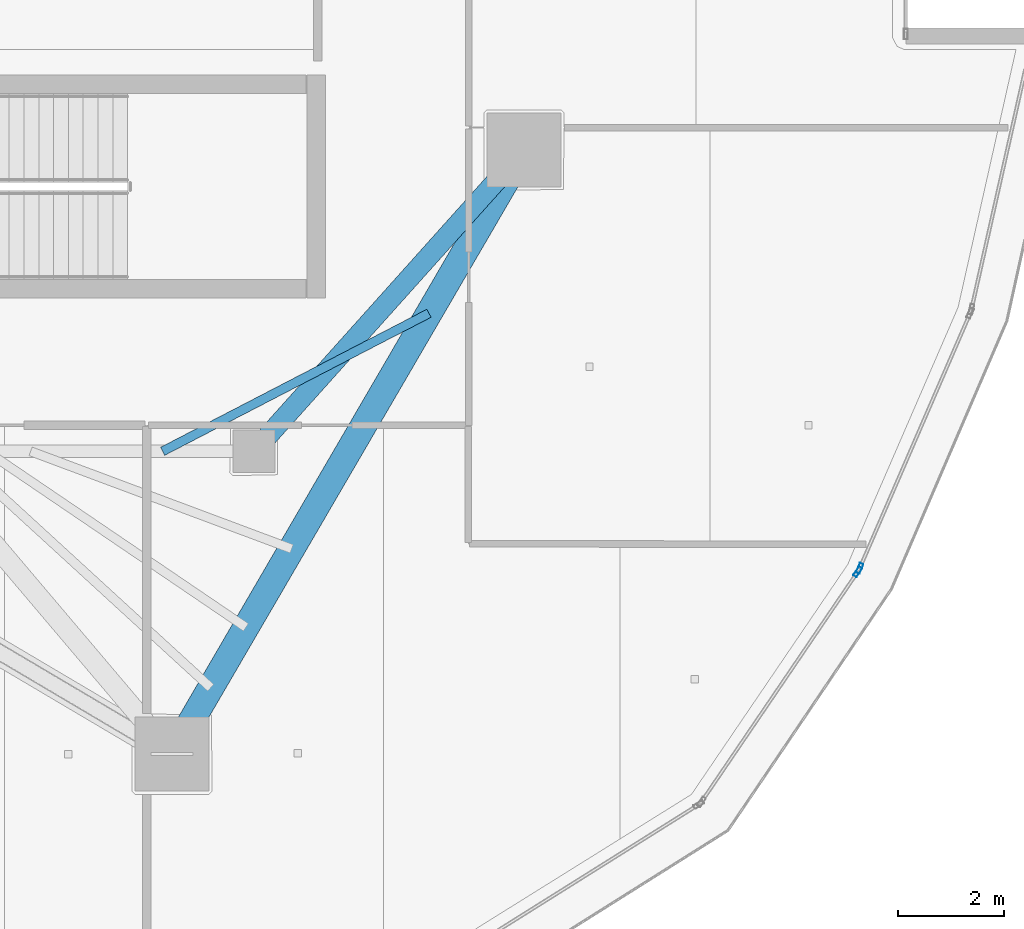
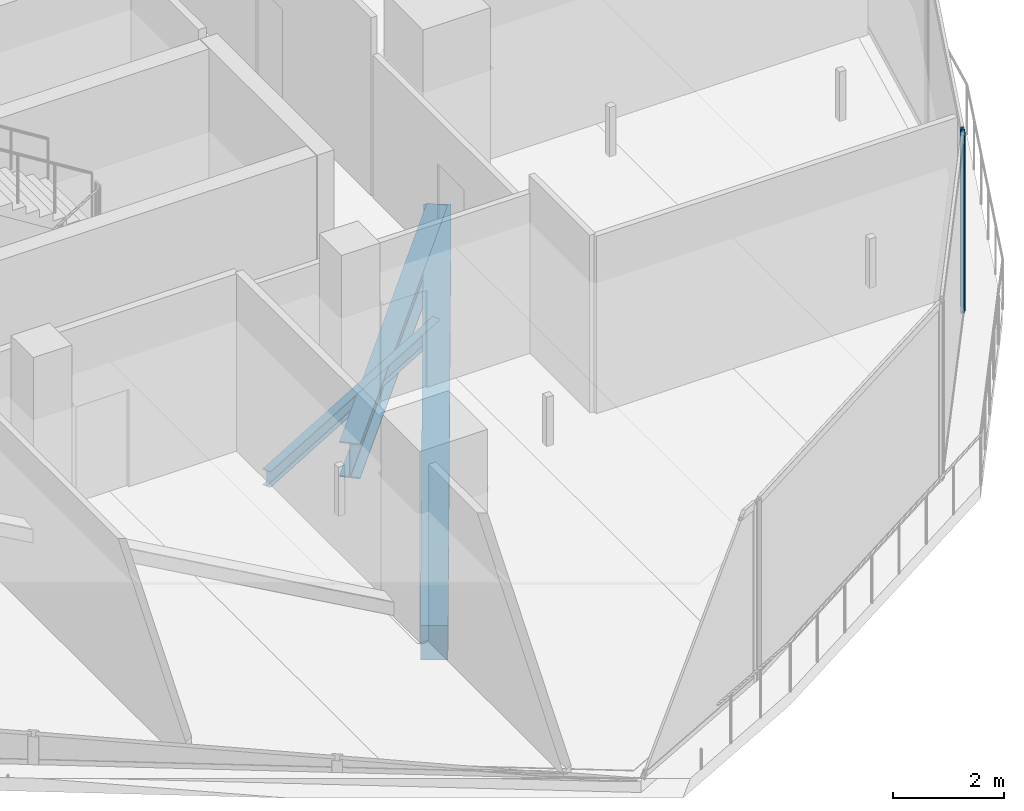
# One storey, part 10 of 30: 3 beams, 2 members, 2 elements without a shape of their own.
"""IFC4 building model written with IfcOpenShell, lengths in metres."""

from ifc_helpers import new_model, si_unit, direction, frame, origin, origin_2d, place, context, subcontext, project, spatial, rectangle, hollow_rectangle, i_section, extrude, material, layer, layer_set, material_profile, profile_set, type_object, element, aggregate, save


model = new_model("IFC4")

# Units and contexts
model_context = context("Model", 3, precision=1e-05, world=origin(), true_north=direction((0.0, 1.0)))
body_context = subcontext(model_context, "Body", "Model", "MODEL_VIEW")
ifc_project = project(units=[si_unit("LENGTHUNIT", "METRE"), si_unit("AREAUNIT", "SQUARE_METRE"), si_unit("VOLUMEUNIT", "CUBIC_METRE"), si_unit("PLANEANGLEUNIT", "RADIAN"), si_unit("MASSUNIT", "GRAM", prefix="KILO")], contexts=[model_context])

# Site, building, storey
site_placement = place(None, origin())
site = spatial("IfcSite", under=ifc_project, at=site_placement, CompositionType="ELEMENT")
building_placement = place(site_placement, origin())
building = spatial("IfcBuilding", under=site, at=building_placement, Name="Qorvath Tower", CompositionType="ELEMENT")
storey_placement = place(building_placement, frame((0.0, 0.0, 289.199951171875)))
storey = spatial("IfcBuildingStorey", under=building, at=storey_placement, Name="L67", CompositionType="ELEMENT", Elevation=289.199951171875)

# Beams
ifc_material_1 = material(Name="Steel ASTM A992 Grade 50", Category="steel")
ifc_material_profile_1 = material_profile(ifc_material_1, i_section(OverallWidth=0.381103515625, OverallDepth=0.77294921875, WebThickness=0.0166015625, FlangeThickness=0.027099609375, FilletRadius=0.01904296875, at=origin_2d()), Name="W30x173")
ifc_profile_set_1 = profile_set([ifc_material_profile_1], Name="Steel ASTM A992 Grade 50")
beam_type_1 = type_object("IfcBeamType", Name="BM-FG3", PredefinedType="BEAM", material=ifc_profile_set_1)
beam_1_placement = place(storey_placement, frame((-17.199951171875, -11.449951171875, -0.676513671875), z_axis=(0.667543184261, 0.744571082669, 0.0), x_axis=(-0.744571082669, 0.667543184261, 0.0)))
element("IfcBeam", 1, at=beam_1_placement, inside=storey, type_object=beam_type_1, Name="Radial Floor Girder CC3-MC4 L67", PredefinedType="BEAM", context=body_context, shape_type="SweptSolid", body=[
    extrude(i_section(OverallWidth=0.381103515625, OverallDepth=0.77294921875, WebThickness=0.0166015625, FlangeThickness=0.027099609375, FilletRadius=0.01904296875, at=origin_2d()), origin(), (0.0, 0.0, 1.0), 7.644775390625),
])
ifc_material_2 = material(Name="Steel ASTM A992 Grade 50", Category="steel")
ifc_material_profile_2 = material_profile(ifc_material_2, i_section(OverallWidth=0.1708984375, OverallDepth=0.35107421875, WebThickness=0.0068359375, FlangeThickness=0.009765625, FilletRadius=0.010009765625, at=origin_2d()), Name="W14x30")
ifc_profile_set_2 = profile_set([ifc_material_profile_2], Name="Steel ASTM A992 Grade 50")
beam_type_2 = type_object("IfcBeamType", Name="BM-FJ4", PredefinedType="JOIST", material=ifc_profile_set_2)
beam_2_placement = place(storey_placement, frame((-18.927978515625, -11.449951171875, -0.465576171875), z_axis=(0.887840529015, 0.460151274082, 0.0), x_axis=(-0.460151274082, 0.887840529015, 0.0)))
element("IfcBeam", 2, at=beam_2_placement, inside=storey, type_object=beam_type_2, Name="Composite Floor Joist SE2 L67", PredefinedType="JOIST", context=body_context, shape_type="SweptSolid", body=[
    extrude(i_section(OverallWidth=0.1708984375, OverallDepth=0.35107421875, WebThickness=0.0068359375, FlangeThickness=0.009765625, FilletRadius=0.010009765625, at=origin_2d()), origin(), (0.0, 0.0, 1.0), 5.670654296875),
])
ifc_material_3 = material(Name="Concrete C45/55", Category="concrete")
ifc_material_profile_3 = material_profile(ifc_material_3, rectangle(XDim=0.5, YDim=0.75, at=origin_2d()), Name="RCB 750x500")
ifc_profile_set_3 = profile_set([ifc_material_profile_3], Name="Concrete C45/55")
beam_type_3 = type_object("IfcBeamType", Name="BM-RCB3", PredefinedType="SPANDREL", material=ifc_profile_set_3)
beam_3_placement = place(storey_placement, frame((-18.75048828125, -17.175537109375, -0.6650390625), z_axis=(0.503502256692, 0.863993910572, 0.0), x_axis=(-0.863993910572, 0.503502256692, 0.0)))
element("IfcBeam", 3, at=beam_3_placement, inside=storey, type_object=beam_type_3, Name="Perimeter Loggia Frame Beam MC3-MC4 L67", PredefinedType="SPANDREL", context=body_context, shape_type="SweptSolid", body=[
    extrude(rectangle(XDim=0.5, YDim=0.75, at=origin_2d()), origin(), (0.0, 0.0, 1.0), 13.215087890625),
])

# Curtain wall, member
ifc_material_4 = material(Name="Anodised aluminium and triple low-E glass", Category="aluminium")
ifc_layer = layer(ifc_material_4, 0.179931640625)
ifc_layer_set = layer_set([ifc_layer], Name="CW-SYS-5")
curtain_wall_type = type_object("IfcCurtainWallType", Name="CW-SYS-5", PredefinedType="NOTDEFINED", material=ifc_layer_set)
curtain_wall_1_placement = place(storey_placement, origin())
curtain_wall_1 = element("IfcCurtainWall", 4, at=curtain_wall_1_placement, inside=storey, type_object=curtain_wall_type, Name="Curtain Wall CW-5 CW-T-L67-5.1", PredefinedType="NOTDEFINED")
ifc_material_5 = material(Name="Anodised aluminium 6063-T6", Category="aluminium")
ifc_material_profile_4 = material_profile(ifc_material_5, hollow_rectangle(XDim=0.074951171875, YDim=0.199951171875, WallThickness=0.00390625, InnerFilletRadius=0.00390625, OuterFilletRadius=0.008056640625, at=origin_2d()), Name="CWM 200x75")
ifc_profile_set_4 = profile_set([ifc_material_profile_4], Name="Anodised aluminium 6063-T6")
member_type = type_object("IfcMemberType", Name="CWM-200", PredefinedType="MULLION", material=ifc_profile_set_4)
member_1_placement = place(storey_placement, frame((-5.787841796875, -13.728515625, 0.0), z_axis=(0.0, 0.0, 1.0), x_axis=(-0.82717162684, 0.561949374723, 0.0)))
member_1 = element("IfcMember", 5, at=member_1_placement, type_object=member_type, Name="CW-5 mullion 2", PredefinedType="MULLION", context=body_context, shape_type="SweptSolid", body=[
    extrude(hollow_rectangle(XDim=0.074951171875, YDim=0.199951171875, WallThickness=0.00390625, InnerFilletRadius=0.00390625, OuterFilletRadius=0.008056640625, at=origin_2d()), origin(), (0.0, 0.0, 1.0), 3.91015625),
])
aggregate(curtain_wall_1, [member_1])

curtain_wall_2_placement = place(storey_placement, origin())
curtain_wall_2 = element("IfcCurtainWall", 6, at=curtain_wall_2_placement, inside=storey, type_object=curtain_wall_type, Name="Curtain Wall CW-5 CW-T-L67-6.1", PredefinedType="NOTDEFINED")
member_2_placement = place(storey_placement, frame((-5.751953125, -13.6630859375, 0.0), z_axis=(0.0, 0.0, 1.0), x_axis=(-0.917563379091, 0.397589543814, 0.0)))
member_2 = element("IfcMember", 7, at=member_2_placement, type_object=member_type, Name="CW-5 mullion 1", PredefinedType="MULLION", context=body_context, shape_type="SweptSolid", body=[
    extrude(hollow_rectangle(XDim=0.074951171875, YDim=0.199951171875, WallThickness=0.00390625, InnerFilletRadius=0.00390625, OuterFilletRadius=0.008056640625, at=origin_2d()), origin(), (0.0, 0.0, 1.0), 3.91015625),
])
aggregate(curtain_wall_2, [member_2])

save(model, "model.ifc")
